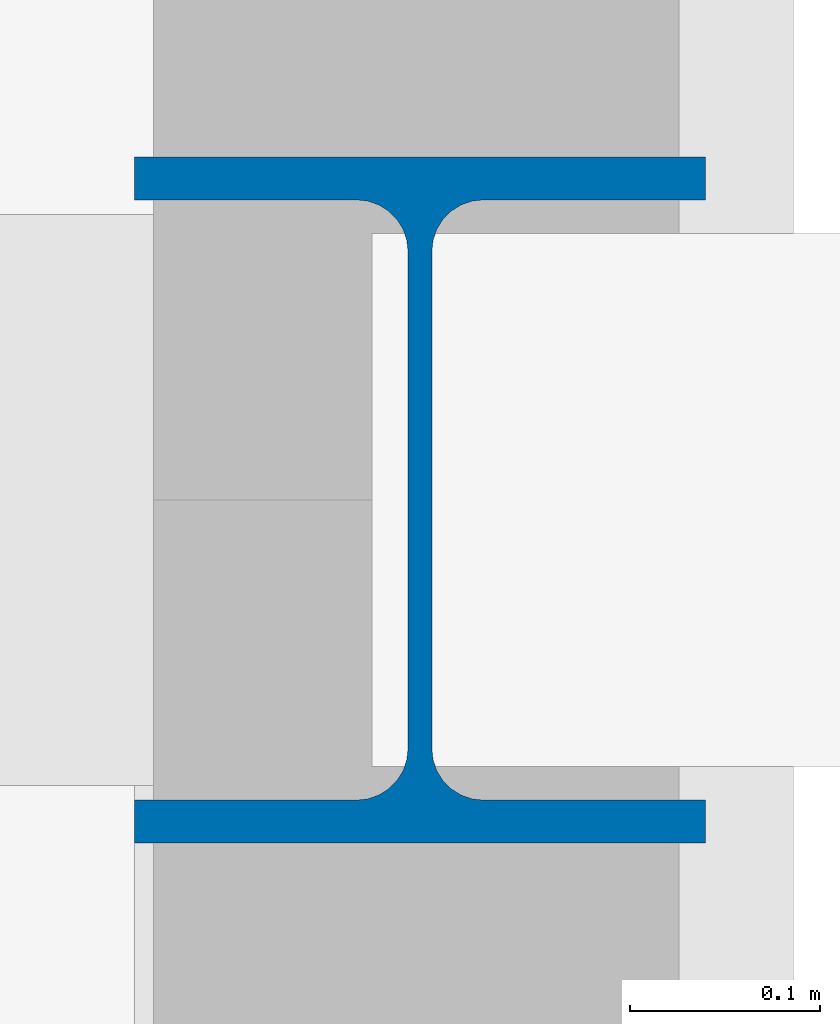
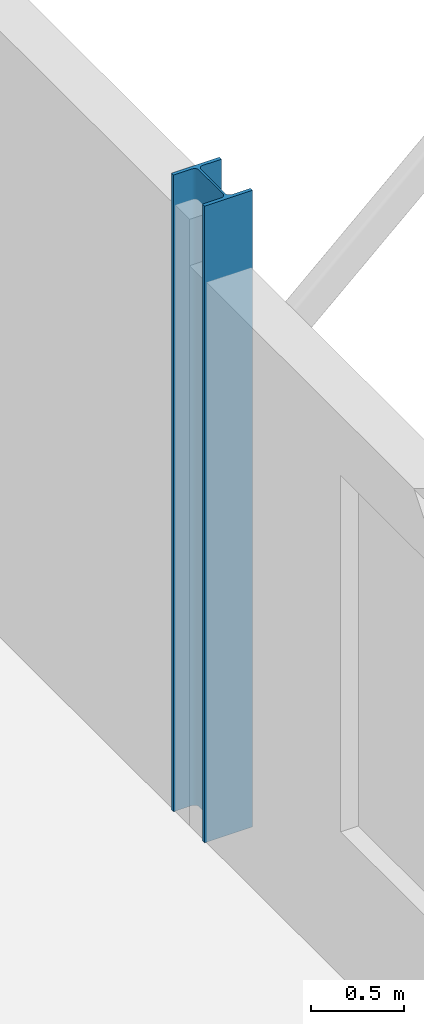
# One storey, part 10 of 25: 1 column.
"""IFC4 building model written with IfcOpenShell, lengths in metres."""

from ifc_helpers import new_model, si_unit, direction, frame, origin, origin_2d, place, context, subcontext, project, spatial, i_section, extrude, material, material_profile, profile_set, type_object, element, save


model = new_model("IFC4")

# Units and contexts
model_context = context("Model", 3, precision=1e-05, world=origin(), true_north=direction((0.0, 1.0)))
body_context = subcontext(model_context, "Body", "Model", "MODEL_VIEW")
ifc_project = project(units=[si_unit("LENGTHUNIT", "METRE"), si_unit("AREAUNIT", "SQUARE_METRE"), si_unit("VOLUMEUNIT", "CUBIC_METRE"), si_unit("PLANEANGLEUNIT", "RADIAN"), si_unit("MASSUNIT", "GRAM", prefix="KILO")], contexts=[model_context])

# Site, building, storey
site_placement = place(None, origin())
site = spatial("IfcSite", under=ifc_project, at=site_placement, CompositionType="ELEMENT")
building_placement = place(site_placement, origin())
building = spatial("IfcBuilding", under=site, at=building_placement, Name="Vekula Escarpment Museum", CompositionType="ELEMENT")
storey_placement = place(building_placement, frame((0.0, 0.0, 26.39990234375)))
storey = spatial("IfcBuildingStorey", under=building, at=storey_placement, Name="L06", CompositionType="ELEMENT", Elevation=26.39990234375)

# Column
ifc_material = material(Name="Steel S355", Category="steel")
ifc_material_profile = material_profile(ifc_material, i_section(OverallWidth=0.300048828125, OverallDepth=0.360107421875, WebThickness=0.012451171875, FlangeThickness=0.0224609375, FilletRadius=0.027099609375, at=origin_2d()), Name="HEB 360")
ifc_profile_set = profile_set([ifc_material_profile], Name="Steel S355")
column_type = type_object("IfcColumnType", Name="COL-S-HEB360", PredefinedType="COLUMN", material=ifc_profile_set)
column_placement = place(storey_placement, frame((198.0, 113.199951171875, 0.0), z_axis=(0.0, 0.0, 1.0), x_axis=(1.0, 0.0, 0.0)))
element("IfcColumn", 1, at=column_placement, inside=storey, type_object=column_type, Name="Column L06 (198.0,113.2)", PredefinedType="COLUMN", context=body_context, shape_type="SweptSolid", body=[
    extrude(i_section(OverallWidth=0.300048828125, OverallDepth=0.360107421875, WebThickness=0.012451171875, FlangeThickness=0.0224609375, FilletRadius=0.027099609375, at=origin_2d()), origin(), (0.0, 0.0, 1.0), 4.2001953125),
])

save(model, "model.ifc")
